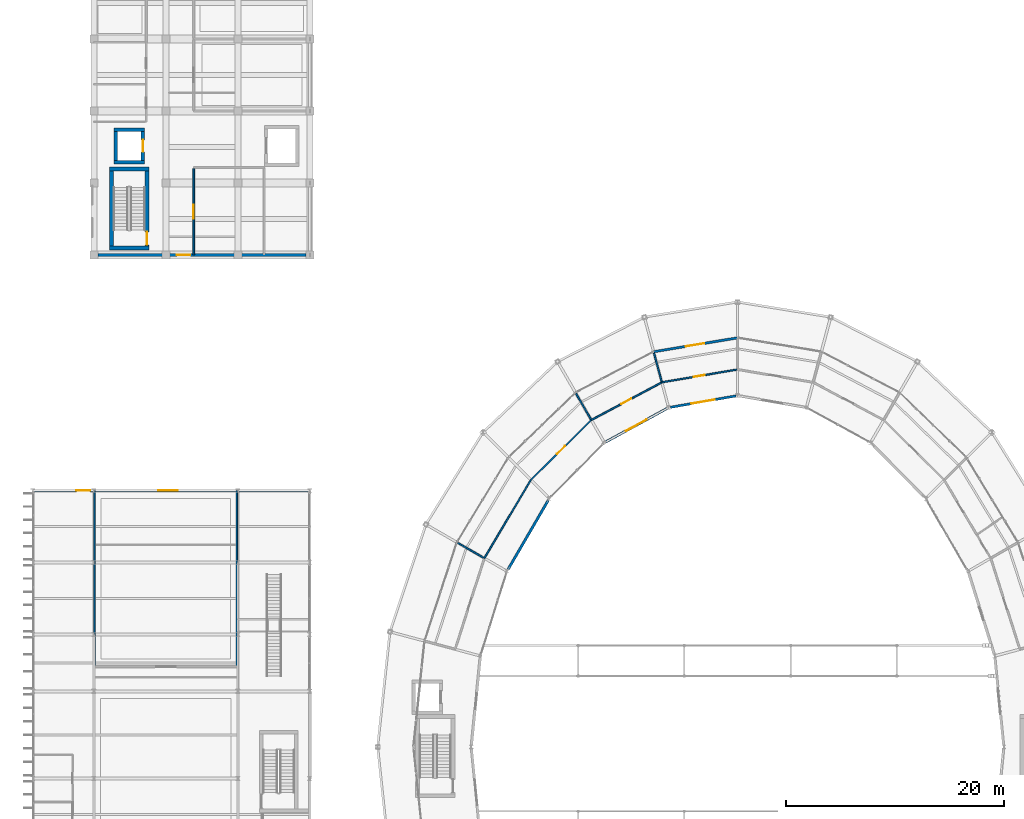
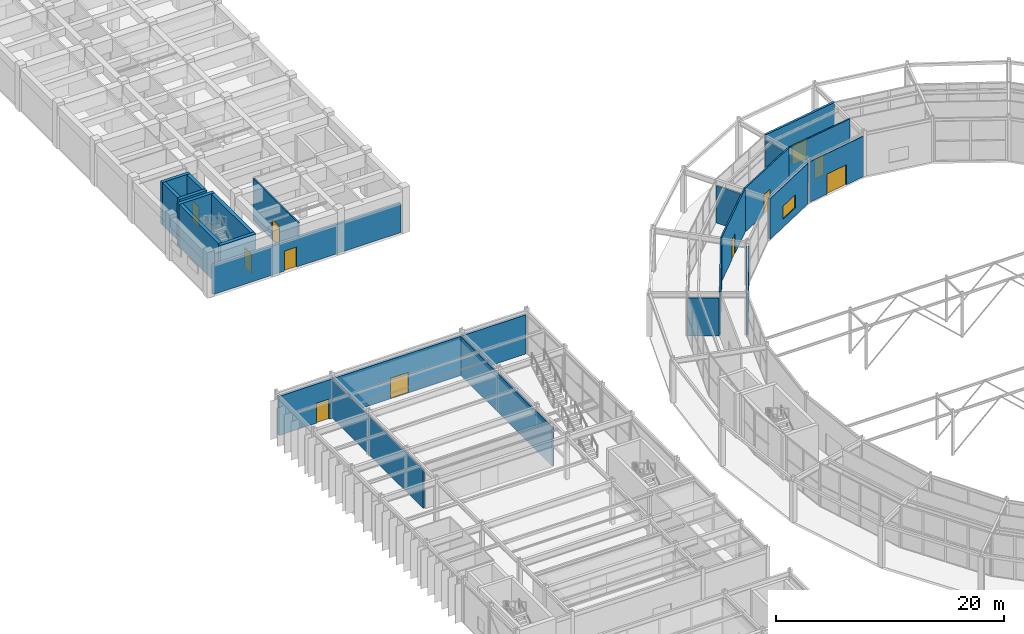
# One storey, part 126 of 144: 24 walls, 11 doors, 1 window, 12 openings.
"""IFC4 building model written with IfcOpenShell, lengths in metres."""

from ifc_helpers import new_model, si_unit, direction, frame, frame_2d, origin, place, context, subcontext, project, spatial, rectangle, extrude, material, layer, layer_set, type_object, element, fill, save


model = new_model("IFC4")

# Units and contexts
model_context = context("Model", 3, precision=1e-05, world=origin(), true_north=direction((0.0, 1.0)))
body_context = subcontext(model_context, "Body", "Model", "MODEL_VIEW")
ifc_project = project(units=[si_unit("LENGTHUNIT", "METRE"), si_unit("AREAUNIT", "SQUARE_METRE"), si_unit("VOLUMEUNIT", "CUBIC_METRE"), si_unit("PLANEANGLEUNIT", "RADIAN"), si_unit("MASSUNIT", "GRAM", prefix="KILO")], contexts=[model_context])

# Site, building, storey
site_placement = place(None, origin())
site = spatial("IfcSite", under=ifc_project, at=site_placement, CompositionType="ELEMENT")
building_placement = place(site_placement, origin())
building = spatial("IfcBuilding", under=site, at=building_placement, Name="Karori Crest Natural Sciences Institute", CompositionType="ELEMENT")
storey_placement = place(building_placement, origin())
storey = spatial("IfcBuildingStorey", under=building, at=storey_placement, Name="L00", CompositionType="ELEMENT", Elevation=0.0)

# Walls
ifc_material_1 = material(Name="Concrete 50 MPa", Category="concrete")
ifc_layer_1 = layer(ifc_material_1, 0.35009765625, Name="Concrete 50 MPa")
ifc_layer_set_1 = layer_set([ifc_layer_1], Name="Concrete 50 MPa")
wall_type_1 = type_object("IfcWallType", Name="IWT-02", PredefinedType="SHEAR", material=ifc_layer_set_1)
for number, where, z_axis, x_axis, name in (
    (1, (8.85009765625, 95.625, 0.0), (0.0, 0.0, 1.0), (1.0, 0.0, 0.0), "Shear wall IW-0169"),
    (2, (8.85009765625, 102.875, 0.0), (0.0, 0.0, 1.0), (1.0, 0.0, 0.0), "Shear wall IW-0170"),
):
    element("IfcWall", number, at=place(storey_placement, frame(where, z_axis=z_axis, x_axis=x_axis)), inside=storey, type_object=wall_type_1, Name=name, PredefinedType="SHEAR", context=body_context, shape_type="SweptSolid", body=[
        extrude(rectangle(XDim=3.599853515625, YDim=0.35009765625, at=frame_2d((1.7998046875, 0.0))), origin(), (0.0, 0.0, 1.0), 4.550048828125),
    ])
wall_1_placement = place(storey_placement, frame((9.02490234375, 95.802001953125, 0.0), z_axis=(0.0, 0.0, 1.0), x_axis=(0.0, 1.0, 0.0)))
element("IfcWall", 3, at=wall_1_placement, inside=storey, type_object=wall_type_1, Name="Shear wall IW-0171", PredefinedType="SHEAR", context=body_context, shape_type="SweptSolid", body=[
    extrude(rectangle(XDim=6.89599609375, YDim=0.35009765625, at=frame_2d((3.447998046875, 0.0))), origin(), (0.0, 0.0, 1.0), 4.550048828125),
])

# Wall, opening, door
wall_2_placement = place(storey_placement, frame((12.27490234375, 95.802001953125, 0.0), z_axis=(0.0, 0.0, 1.0), x_axis=(0.0, 1.0, 0.0)))
wall_2 = element("IfcWall", 4, at=wall_2_placement, inside=storey, type_object=wall_type_1, Name="Shear wall IW-0172", PredefinedType="SHEAR", context=body_context, shape_type="SweptSolid", body=[
    extrude(rectangle(XDim=6.89599609375, YDim=0.35009765625, at=frame_2d((3.447998046875, 0.0))), origin(), (0.0, 0.0, 1.0), 4.550048828125),
])
opening_1_placement = place(wall_2_placement, frame((0.1201171875, 0.0, 0.0)))
opening_1 = element("IfcOpeningElement", 5, at=opening_1_placement, cuts=wall_2, Name="Opening ID-0043", PredefinedType="OPENING", context=body_context, shape_type="SweptSolid", body=[
    extrude(rectangle(XDim=1.199951171875, YDim=2.14990234375, at=frame_2d((0.60009765625, 1.074951171875))), frame((0.0, 0.18505859375, 0.0), z_axis=(0.0, -1.0, 0.0), x_axis=(1.0, 0.0, 0.0)), (0.0, 0.0, 1.0), 0.3701171875),
])
ifc_material_2 = material(Name="Stainless steel 316 and fire-rated timber", Category="steel")
door_type_1 = type_object("IfcDoorType", Name="IDT-01", OperationType="NOTDEFINED", PredefinedType="DOOR", material=ifc_material_2)
door_1_placement = place(opening_1_placement, origin())
door_1 = element("IfcDoor", 6, at=door_1_placement, inside=storey, type_object=door_type_1, Name="Stair ST-05 fire door ID-0043", OperationType="SINGLE_SWING_LEFT", OverallHeight=2.14990234375, OverallWidth=1.199951171875, PredefinedType="DOOR", context=body_context, shape_type="SweptSolid", body=[
    extrude(rectangle(XDim=1.199951171875, YDim=2.14990234375, at=frame_2d((0.60009765625, 1.074951171875))), frame((0.0, 0.02490234375, 0.0), z_axis=(0.0, -1.0, 0.0), x_axis=(1.0, 0.0, 0.0)), (0.0, 0.0, 1.0), 0.050048828125),
])
fill(opening_1, door_1)

# Walls
ifc_layer_2 = layer(ifc_material_1, 0.320068359375, Name="Concrete 50 MPa")
ifc_layer_set_2 = layer_set([ifc_layer_2], Name="Concrete 50 MPa")
wall_type_2 = type_object("IfcWallType", Name="IWT-03", PredefinedType="SHEAR", material=ifc_layer_set_2)
for number, where, z_axis, x_axis, name in (
    (7, (9.2451171875, 103.5048828125, 0.0), (0.0, 0.0, 1.0), (1.0, 0.0, 0.0), "Shear wall IW-0491"),
    (8, (9.2451171875, 106.4951171875, 0.0), (0.0, 0.0, 1.0), (1.0, 0.0, 0.0), "Shear wall IW-0492"),
):
    element("IfcWall", number, at=place(storey_placement, frame(where, z_axis=z_axis, x_axis=x_axis)), inside=storey, type_object=wall_type_2, Name=name, PredefinedType="SHEAR", context=body_context, shape_type="SweptSolid", body=[
        extrude(rectangle(XDim=2.809814453125, YDim=0.320068359375, at=frame_2d((1.40478515625, 0.0))), origin(), (0.0, 0.0, 1.0), 4.550048828125),
    ])
wall_3_placement = place(storey_placement, frame((9.405029296875, 103.6669921875, 0.0), z_axis=(0.0, 0.0, 1.0), x_axis=(0.0, 1.0, 0.0)))
element("IfcWall", 9, at=wall_3_placement, inside=storey, type_object=wall_type_2, Name="Shear wall IW-0493", PredefinedType="SHEAR", context=body_context, shape_type="SweptSolid", body=[
    extrude(rectangle(XDim=2.666015625, YDim=0.320068359375, at=frame_2d((1.3330078125, 0.0))), origin(), (0.0, 0.0, 1.0), 4.550048828125),
])

# Wall, opening, door
wall_4_placement = place(storey_placement, frame((11.89501953125, 103.6669921875, 0.0), z_axis=(0.0, 0.0, 1.0), x_axis=(0.0, 1.0, 0.0)))
wall_4 = element("IfcWall", 10, at=wall_4_placement, inside=storey, type_object=wall_type_2, Name="Shear wall IW-0494", PredefinedType="SHEAR", context=body_context, shape_type="SweptSolid", body=[
    extrude(rectangle(XDim=2.666015625, YDim=0.320068359375, at=frame_2d((1.3330078125, 0.0))), origin(), (0.0, 0.0, 1.0), 4.550048828125),
])
opening_2_placement = place(wall_4_placement, frame((0.782958984375, 0.0, 0.0)))
opening_2 = element("IfcOpeningElement", 11, at=opening_2_placement, cuts=wall_4, Name="Opening LD-0049", PredefinedType="OPENING", context=body_context, shape_type="SweptSolid", body=[
    extrude(rectangle(XDim=1.10009765625, YDim=2.14990234375, at=frame_2d((0.550048828125, 1.074951171875))), frame((0.0, 0.169921875, 0.0), z_axis=(0.0, -1.0, 0.0), x_axis=(1.0, 0.0, 0.0)), (0.0, 0.0, 1.0), 0.340087890625),
])
door_type_2 = type_object("IfcDoorType", Name="LDT-01", OperationType="SLIDING_TO_LEFT", PredefinedType="DOOR", material=ifc_material_2)
door_2_placement = place(opening_2_placement, origin())
door_2 = element("IfcDoor", 12, at=door_2_placement, inside=storey, type_object=door_type_2, Name="Lift LP-04 landing door LD-0049", OperationType="SLIDING_TO_LEFT", OverallHeight=2.14990234375, OverallWidth=1.10009765625, PredefinedType="DOOR", context=body_context, shape_type="SweptSolid", body=[
    extrude(rectangle(XDim=1.10009765625, YDim=2.14990234375, at=frame_2d((0.550048828125, 1.074951171875))), frame((0.0, 0.02490234375, 0.0), z_axis=(0.0, -1.0, 0.0), x_axis=(1.0, 0.0, 0.0)), (0.0, 0.0, 1.0), 0.050048828125),
])
fill(opening_2, door_2)

ifc_material_3 = material(Name="Clean-room insulated fire partition")
ifc_layer_3 = layer(ifc_material_3, 0.14990234375, Name="Clean-room insulated fire partition")
ifc_layer_set_3 = layer_set([ifc_layer_3], Name="Clean-room insulated fire partition")
wall_type_3 = type_object("IfcWallType", Name="IWT-06", PredefinedType="PARTITIONING", material=ifc_layer_set_3)
wall_5_placement = place(storey_placement, frame((16.550048828125, 95.0, 0.0), z_axis=(0.0, 0.0, 1.0), x_axis=(0.0, 1.0, 0.0)))
wall_5 = element("IfcWall", 13, at=wall_5_placement, inside=storey, type_object=wall_type_3, Name="Partition wall IW-0926", PredefinedType="PARTITIONING", context=body_context, shape_type="SweptSolid", body=[
    extrude(rectangle(XDim=7.923095703125, YDim=0.14990234375, at=frame_2d((3.96142578125, 0.0))), origin(), (0.0, 0.0, 1.0), 4.550048828125),
])
opening_3_placement = place(wall_5_placement, frame((3.3115234375, 0.0, 0.0)))
opening_3 = element("IfcOpeningElement", 14, at=opening_3_placement, cuts=wall_5, Name="Opening ID-0237", PredefinedType="OPENING", context=body_context, shape_type="SweptSolid", body=[
    extrude(rectangle(XDim=1.300048828125, YDim=2.199951171875, at=frame_2d((0.64990234375, 1.10009765625))), frame((0.0, 0.0849609375, 0.0), z_axis=(0.0, -1.0, 0.0), x_axis=(1.0, 0.0, 0.0)), (0.0, 0.0, 1.0), 0.169921875),
])
door_type_3 = type_object("IfcDoorType", Name="IDT-04", OperationType="NOTDEFINED", PredefinedType="DOOR", material=ifc_material_2)
door_3_placement = place(opening_3_placement, origin())
door_3 = element("IfcDoor", 15, at=door_3_placement, inside=storey, type_object=door_type_3, Name="ISO Class 5 Lithography Clean Room door ID-0237", OperationType="SINGLE_SWING_LEFT", OverallHeight=2.199951171875, OverallWidth=1.300048828125, PredefinedType="DOOR", context=body_context, shape_type="SweptSolid", body=[
    extrude(rectangle(XDim=1.300048828125, YDim=2.199951171875, at=frame_2d((0.64990234375, 1.10009765625))), frame((0.0, 0.02490234375, 0.0), z_axis=(0.0, -1.0, 0.0), x_axis=(1.0, 0.0, 0.0)), (0.0, 0.0, 1.0), 0.050048828125),
])
fill(opening_3, door_3)

# Walls
ifc_material_4 = material(Name="Laboratory acoustic drywall partition")
ifc_layer_4 = layer(ifc_material_4, 0.139892578125, Name="Laboratory acoustic drywall partition")
ifc_layer_set_4 = layer_set([ifc_layer_4], Name="Laboratory acoustic drywall partition")
wall_type_4 = type_object("IfcWallType", Name="IWT-07", PredefinedType="PARTITIONING", material=ifc_layer_set_4)
wall_6_placement = place(storey_placement, frame((7.449951171875, 57.322021484375, 0.0), z_axis=(0.0, 0.0, 1.0), x_axis=(0.0, 1.0, 0.0)))
element("IfcWall", 16, at=wall_6_placement, inside=storey, type_object=wall_type_4, Name="Partition wall IW-1080", PredefinedType="PARTITIONING", context=body_context, shape_type="SweptSolid", body=[
    extrude(rectangle(XDim=16.077880859375, YDim=0.139892578125, at=frame_2d((8.0390625, 0.0))), origin(), (0.0, 0.0, 1.0), 4.14501953125),
])
wall_7_placement = place(storey_placement, frame((20.5, 57.25, 0.0), z_axis=(0.0, 0.0, 1.0), x_axis=(0.0, 1.0, 0.0)))
element("IfcWall", 17, at=wall_7_placement, inside=storey, type_object=wall_type_4, Name="Partition wall IW-1081", PredefinedType="PARTITIONING", context=body_context, shape_type="SweptSolid", body=[
    extrude(rectangle(XDim=16.14990234375, YDim=0.139892578125, at=frame_2d((8.074951171875, 0.0))), origin(), (0.0, 0.0, 1.0), 4.14501953125),
])

# Wall, opening, door
wall_8_placement = place(storey_placement, frame((66.327880859375, 84.48779296875, 0.0), z_axis=(0.0, 0.0, 1.0), x_axis=(-0.98586001765, -0.167570956905, 0.0)))
wall_8 = element("IfcWall", 18, at=wall_8_placement, inside=storey, type_object=wall_type_4, Name="Partition wall IW-1181", PredefinedType="PARTITIONING", context=body_context, shape_type="SweptSolid", body=[
    extrude(rectangle(XDim=6.962646484375, YDim=0.139892578125, at=frame_2d((3.4814453125, 0.0))), origin(), (0.0, 0.0, 1.0), 4.699951171875),
])
opening_4_placement = place(wall_8_placement, frame((2.956298828125, 0.0, 0.0)))
opening_4 = element("IfcOpeningElement", 19, at=opening_4_placement, cuts=wall_8, Name="Opening ID-0354", PredefinedType="OPENING", context=body_context, shape_type="SweptSolid", body=[
    extrude(rectangle(XDim=1.050048828125, YDim=2.14990234375, at=frame_2d((0.52490234375, 1.074951171875))), frame((0.0, 0.080078125, 0.0), z_axis=(0.0, -1.0, 0.0), x_axis=(1.0, 0.0, 0.0)), (0.0, 0.0, 1.0), 0.159912109375),
])
door_type_4 = type_object("IfcDoorType", Name="IDT-03", OperationType="NOTDEFINED", PredefinedType="DOOR", material=ifc_material_2)
door_4_placement = place(opening_4_placement, origin())
door_4 = element("IfcDoor", 20, at=door_4_placement, inside=storey, type_object=door_type_4, Name="Molecular Ecology Wet Laboratory door ID-0354", OperationType="SINGLE_SWING_RIGHT", OverallHeight=2.14990234375, OverallWidth=1.050048828125, PredefinedType="DOOR", context=body_context, shape_type="SweptSolid", body=[
    extrude(rectangle(XDim=1.050048828125, YDim=2.14990234375, at=frame_2d((0.52490234375, 1.074951171875))), frame((0.0, 0.02490234375, 0.0), z_axis=(0.0, -1.0, 0.0), x_axis=(1.0, 0.0, 0.0)), (0.0, 0.0, 1.0), 0.050048828125),
])
fill(opening_4, door_4)

# Wall
wall_9_placement = place(storey_placement, frame((59.44287109375, 83.398193359375, 0.0), z_axis=(0.0, 0.0, 1.0), x_axis=(-0.258796182094, 0.965931952124, 0.0)))
element("IfcWall", 21, at=wall_9_placement, inside=storey, type_object=wall_type_4, Name="Partition wall IW-1182", PredefinedType="PARTITIONING", context=body_context, shape_type="SweptSolid", body=[
    extrude(rectangle(XDim=2.70751953125, YDim=0.139892578125, at=frame_2d((1.353759765625, 0.0))), origin(), (0.0, 0.0, 1.0), 4.092041015625),
])

# Wall, opening, door
wall_10_placement = place(storey_placement, frame((59.3984375, 83.2861328125, 0.0), z_axis=(0.0, 0.0, 1.0), x_axis=(-0.881829873621, -0.471567676999, 0.0)))
wall_10 = element("IfcWall", 22, at=wall_10_placement, inside=storey, type_object=wall_type_4, Name="Partition wall IW-1183", PredefinedType="PARTITIONING", context=body_context, shape_type="SweptSolid", body=[
    extrude(rectangle(XDim=7.255859375, YDim=0.139892578125, at=frame_2d((3.6279296875, 0.0))), origin(), (0.0, 0.0, 1.0), 4.699951171875),
])
opening_5_placement = place(wall_10_placement, frame((3.10302734375, 0.0, 0.0)))
opening_5 = element("IfcOpeningElement", 23, at=opening_5_placement, cuts=wall_10, Name="Opening ID-0355", PredefinedType="OPENING", context=body_context, shape_type="SweptSolid", body=[
    extrude(rectangle(XDim=1.050048828125, YDim=2.14990234375, at=frame_2d((0.52490234375, 1.074951171875))), frame((0.0, 0.080078125, 0.0), z_axis=(0.0, -1.0, 0.0), x_axis=(1.0, 0.0, 0.0)), (0.0, 0.0, 1.0), 0.159912109375),
])
door_5_placement = place(opening_5_placement, origin())
door_5 = element("IfcDoor", 24, at=door_5_placement, inside=storey, type_object=door_type_4, Name="Wet Biology Laboratory door ID-0355", OperationType="SINGLE_SWING_LEFT", OverallHeight=2.14990234375, OverallWidth=1.050048828125, PredefinedType="DOOR", context=body_context, shape_type="SweptSolid", body=[
    extrude(rectangle(XDim=1.050048828125, YDim=2.14990234375, at=frame_2d((0.52490234375, 1.074951171875))), frame((0.0, 0.02490234375, 0.0), z_axis=(0.0, -1.0, 0.0), x_axis=(1.0, 0.0, 0.0)), (0.0, 0.0, 1.0), 0.050048828125),
])
fill(opening_5, door_5)

# Wall
wall_11_placement = place(storey_placement, frame((52.9599609375, 79.933837890625, 0.0), z_axis=(0.0, 0.0, 1.0), x_axis=(-0.499982807329, 0.86603532975, 0.0)))
element("IfcWall", 25, at=wall_11_placement, inside=storey, type_object=wall_type_4, Name="Partition wall IW-1184", PredefinedType="PARTITIONING", context=body_context, shape_type="SweptSolid", body=[
    extrude(rectangle(XDim=2.759765625, YDim=0.139892578125, at=frame_2d((1.3798828125, 0.0))), origin(), (0.0, 0.0, 1.0), 4.012939453125),
])

# Wall, opening, door
wall_12_placement = place(storey_placement, frame((52.99853515625, 79.863037109375, 0.0), z_axis=(0.0, 0.0, 1.0), x_axis=(-0.710427757183, -0.703770134222, 0.0)))
wall_12 = element("IfcWall", 26, at=wall_12_placement, inside=storey, type_object=wall_type_4, Name="Partition wall IW-1185", PredefinedType="PARTITIONING", context=body_context, shape_type="SweptSolid", body=[
    extrude(rectangle(XDim=7.810791015625, YDim=0.139892578125, at=frame_2d((3.9052734375, 0.0))), origin(), (0.0, 0.0, 1.0), 4.699951171875),
])
opening_6_placement = place(wall_12_placement, frame((3.380615234375, 0.0, 0.0)))
opening_6 = element("IfcOpeningElement", 27, at=opening_6_placement, cuts=wall_12, Name="Opening ID-0356", PredefinedType="OPENING", context=body_context, shape_type="SweptSolid", body=[
    extrude(rectangle(XDim=1.050048828125, YDim=2.14990234375, at=frame_2d((0.52490234375, 1.074951171875))), frame((0.0, 0.080078125, 0.0), z_axis=(0.0, -1.0, 0.0), x_axis=(1.0, 0.0, 0.0)), (0.0, 0.0, 1.0), 0.159912109375),
])
door_6_placement = place(opening_6_placement, origin())
door_6 = element("IfcDoor", 28, at=door_6_placement, inside=storey, type_object=door_type_4, Name="Analytical Geochemistry Laboratory door ID-0356", OperationType="SINGLE_SWING_RIGHT", OverallHeight=2.14990234375, OverallWidth=1.050048828125, PredefinedType="DOOR", context=body_context, shape_type="SweptSolid", body=[
    extrude(rectangle(XDim=1.050048828125, YDim=2.14990234375, at=frame_2d((0.52490234375, 1.074951171875))), frame((0.0, 0.02490234375, 0.0), z_axis=(0.0, -1.0, 0.0), x_axis=(1.0, 0.0, 0.0)), (0.0, 0.0, 1.0), 0.050048828125),
])
fill(opening_6, door_6)

# Walls
wall_13_placement = place(storey_placement, frame((47.448486328125, 74.3642578125, 0.0), z_axis=(0.0, 0.0, 1.0), x_axis=(-0.510915698067, -0.859630821614, 0.0)))
element("IfcWall", 29, at=wall_13_placement, inside=storey, type_object=wall_type_4, Name="Partition wall IW-1186", PredefinedType="PARTITIONING", context=body_context, shape_type="SweptSolid", body=[
    extrude(rectangle(XDim=8.334228515625, YDim=0.139892578125, at=frame_2d((4.1669921875, 0.0))), origin(), (0.0, 0.0, 1.0), 4.699951171875),
])
wall_14_placement = place(storey_placement, frame((43.12109375, 67.239990234375, 0.0), z_axis=(0.0, 0.0, 1.0), x_axis=(-0.86599702495, 0.500049150362, 0.0)))
element("IfcWall", 30, at=wall_14_placement, inside=storey, type_object=wall_type_4, Name="Partition wall IW-1187", PredefinedType="PARTITIONING", context=body_context, shape_type="SweptSolid", body=[
    extrude(rectangle(XDim=2.760009765625, YDim=0.139892578125, at=frame_2d((1.3798828125, 0.0))), origin(), (0.0, 0.0, 1.0), 4.092041015625),
])

# Wall, opening, door
ifc_material_5 = material(Name="Precast concrete 40 MPa", Category="concrete")
ifc_layer_5 = layer(ifc_material_5, 0.260009765625, Name="Precast concrete 40 MPa")
ifc_layer_set_5 = layer_set([ifc_layer_5], Name="Precast concrete 40 MPa")
wall_type_5 = type_object("IfcWallType", Name="WT-03", PredefinedType="SOLIDWALL", material=ifc_layer_set_5)
wall_15_placement = place(storey_placement, frame((26.826904296875, 95.0, 0.0), z_axis=(0.0, 0.0, 1.0), x_axis=(-1.0, 0.0, 0.0)))
wall_15 = element("IfcWall", 31, at=wall_15_placement, inside=storey, type_object=wall_type_5, Name="Exterior wall EW-0160", PredefinedType="SOLIDWALL", context=body_context, shape_type="SweptSolid", body=[
    extrude(rectangle(XDim=19.053955078125, YDim=0.260009765625, at=frame_2d((9.52685546875, 0.0))), origin(), (0.0, 0.0, 1.0), 3.135009765625),
])
opening_7_placement = place(wall_15_placement, frame((10.576904296875, 0.0, 0.0)))
opening_7 = element("IfcOpeningElement", 32, at=opening_7_placement, cuts=wall_15, Name="Opening ED-0021", PredefinedType="OPENING", context=body_context, shape_type="SweptSolid", body=[
    extrude(rectangle(XDim=1.25, YDim=2.14990234375, at=frame_2d((0.625, 1.074951171875))), frame((0.0, 0.14013671875, 0.0), z_axis=(0.0, -1.0, 0.0), x_axis=(1.0, 0.0, 0.0)), (0.0, 0.0, 1.0), 0.280029296875),
])
ifc_material_6 = material(Name="Anodised architectural aluminium 6063-T6", Category="aluminium")
door_type_5 = type_object("IfcDoorType", Name="EDT-03", OperationType="NOTDEFINED", PredefinedType="DOOR", material=ifc_material_6)
door_7_placement = place(opening_7_placement, origin())
door_7 = element("IfcDoor", 33, at=door_7_placement, inside=storey, type_object=door_type_5, Name="Cleanroom south final exit door ED-0021", OperationType="SINGLE_SWING_RIGHT", OverallHeight=2.14990234375, OverallWidth=1.25, PredefinedType="DOOR", context=body_context, shape_type="SweptSolid", body=[
    extrude(rectangle(XDim=1.25, YDim=2.14990234375, at=frame_2d((0.625, 1.074951171875))), frame((0.0, 0.02490234375, 0.0), z_axis=(0.0, -1.0, 0.0), x_axis=(1.0, 0.0, 0.0)), (0.0, 0.0, 1.0), 0.050048828125),
])
fill(opening_7, door_7)

# Wall, opening, window
ifc_layer_6 = layer(ifc_material_5, 0.239990234375, Name="Precast concrete 40 MPa")
ifc_layer_set_6 = layer_set([ifc_layer_6], Name="Precast concrete 40 MPa")
wall_type_6 = type_object("IfcWallType", Name="WT-04", PredefinedType="SOLIDWALL", material=ifc_layer_set_6)
wall_16_placement = place(storey_placement, frame((59.93408203125, 80.92041015625, 0.0), z_axis=(0.0, 0.0, 1.0), x_axis=(-0.877463709328, -0.479643032695, 0.0)))
wall_16 = element("IfcWall", 34, at=wall_16_placement, inside=storey, type_object=wall_type_6, Name="Exterior wall EW-0025", PredefinedType="SOLIDWALL", context=body_context, shape_type="SweptSolid", body=[
    extrude(rectangle(XDim=6.400146484375, YDim=0.239990234375, at=frame_2d((3.2001953125, 0.0))), origin(), (0.0, 0.0, 1.0), 4.35009765625),
])
opening_8_placement = place(wall_16_placement, frame((2.125244140625, 0.0, 0.85009765625)))
opening_8 = element("IfcOpeningElement", 35, at=opening_8_placement, cuts=wall_16, Name="Opening WN-0003", PredefinedType="OPENING", context=body_context, shape_type="SweptSolid", body=[
    extrude(rectangle(XDim=2.14990234375, YDim=1.39990234375, at=frame_2d((1.074951171875, 0.699951171875))), frame((0.0, 0.1298828125, 0.0), z_axis=(0.0, -1.0, 0.0), x_axis=(1.0, 0.0, 0.0)), (0.0, 0.0, 1.0), 0.260009765625),
])
ifc_material_7 = material(Name="Double low-E laminated glass", Category="glass")
window_type = type_object("IfcWindowType", Name="WNT-08", PartitioningType="SINGLE_PANEL", PredefinedType="WINDOW", material=ifc_material_7)
window_placement = place(opening_8_placement, origin())
window = element("IfcWindow", 36, at=window_placement, inside=storey, type_object=window_type, Name="Window WN-0003", OverallHeight=1.39990234375, OverallWidth=2.14990234375, PartitioningType="SINGLE_PANEL", PredefinedType="WINDOW", context=body_context, shape_type="SweptSolid", body=[
    extrude(rectangle(XDim=2.14990234375, YDim=1.39990234375, at=frame_2d((1.074951171875, 0.699951171875))), frame((0.0, 0.030029296875, 0.0), z_axis=(0.0, -1.0, 0.0), x_axis=(1.0, 0.0, 0.0)), (0.0, 0.0, 1.0), 0.06005859375),
])
fill(opening_8, window)

# Wall
wall_17_placement = place(storey_placement, frame((49.055908203125, 72.512939453125, 0.0), z_axis=(0.0, 0.0, 1.0), x_axis=(-0.502653329169, -0.86448807434, 0.0)))
element("IfcWall", 37, at=wall_17_placement, inside=storey, type_object=wall_type_6, Name="Exterior wall EW-0026", PredefinedType="SOLIDWALL", context=body_context, shape_type="SweptSolid", body=[
    extrude(rectangle(XDim=7.35791015625, YDim=0.239990234375, at=frame_2d((3.678955078125, 0.0))), origin(), (0.0, 0.0, 1.0), 4.35009765625),
])

# Wall, openings, doors
wall_18_placement = place(storey_placement, frame((1.972900390625, 73.39990234375, 0.0), z_axis=(0.0, 0.0, 1.0), x_axis=(1.0, 0.0, 0.0)))
wall_18 = element("IfcWall", 38, at=wall_18_placement, inside=storey, type_object=wall_type_6, Name="Exterior wall EW-0134", PredefinedType="SOLIDWALL", context=body_context, shape_type="SweptSolid", body=[
    extrude(rectangle(XDim=25.05419921875, YDim=0.239990234375, at=frame_2d((12.527099609375, 0.0))), origin(), (0.0, 0.0, 1.0), 4.205078125),
])
opening_9_placement = place(wall_18_placement, frame((3.826904296875, 0.0, 0.0)))
opening_9 = element("IfcOpeningElement", 39, at=opening_9_placement, cuts=wall_18, Name="Opening ED-0015", PredefinedType="OPENING", context=body_context, shape_type="SweptSolid", body=[
    extrude(rectangle(XDim=1.25, YDim=2.14990234375, at=frame_2d((0.625, 1.074951171875))), frame((0.0, 0.1298828125, 0.0), z_axis=(0.0, -1.0, 0.0), x_axis=(1.0, 0.0, 0.0)), (0.0, 0.0, 1.0), 0.260009765625),
])
opening_10_placement = place(wall_18_placement, frame((11.326904296875, 0.0, 0.0)))
opening_10 = element("IfcOpeningElement", 40, at=opening_10_placement, cuts=wall_18, Name="Opening ED-0016", PredefinedType="OPENING", context=body_context, shape_type="SweptSolid", body=[
    extrude(rectangle(XDim=1.800048828125, YDim=2.199951171875, at=frame_2d((0.89990234375, 1.10009765625))), frame((0.0, 0.1298828125, 0.0), z_axis=(0.0, -1.0, 0.0), x_axis=(1.0, 0.0, 0.0)), (0.0, 0.0, 1.0), 0.260009765625),
])
door_type_6 = type_object("IfcDoorType", Name="EDT-02", OperationType="DOUBLE_DOOR_SINGLE_SWING", PredefinedType="DOOR", material=ifc_material_6)
door_8_placement = place(opening_10_placement, origin())
door_8 = element("IfcDoor", 41, at=door_8_placement, inside=storey, type_object=door_type_6, Name="North courtyard entrance door ED-0016", OperationType="DOUBLE_DOOR_SINGLE_SWING", OverallHeight=2.199951171875, OverallWidth=1.800048828125, PredefinedType="DOOR", context=body_context, shape_type="SweptSolid", body=[
    extrude(rectangle(XDim=1.800048828125, YDim=2.199951171875, at=frame_2d((0.89990234375, 1.10009765625))), frame((0.0, 0.02490234375, 0.0), z_axis=(0.0, -1.0, 0.0), x_axis=(1.0, 0.0, 0.0)), (0.0, 0.0, 1.0), 0.050048828125),
])
fill(opening_10, door_8)
door_9_placement = place(opening_9_placement, origin())
door_9 = element("IfcDoor", 42, at=door_9_placement, inside=storey, type_object=door_type_5, Name="Atrium north final exit door ED-0015", OperationType="SINGLE_SWING_LEFT", OverallHeight=2.14990234375, OverallWidth=1.25, PredefinedType="DOOR", context=body_context, shape_type="SweptSolid", body=[
    extrude(rectangle(XDim=1.25, YDim=2.14990234375, at=frame_2d((0.625, 1.074951171875))), frame((0.0, 0.02490234375, 0.0), z_axis=(0.0, -1.0, 0.0), x_axis=(1.0, 0.0, 0.0)), (0.0, 0.0, 1.0), 0.050048828125),
])
fill(opening_9, door_9)

# Wall, opening, door
ifc_layer_7 = layer(ifc_material_5, 0.219970703125, Name="Precast concrete 40 MPa")
ifc_layer_set_7 = layer_set([ifc_layer_7], Name="Precast concrete 40 MPa")
wall_type_7 = type_object("IfcWallType", Name="WT-05", PredefinedType="SOLIDWALL", material=ifc_layer_set_7)
wall_19_placement = place(storey_placement, frame((58.727783203125, 86.124755859375, 0.0), z_axis=(0.0, 0.0, 1.0), x_axis=(0.98646777692, 0.163955253342, 0.0)))
wall_19 = element("IfcWall", 43, at=wall_19_placement, inside=storey, type_object=wall_type_7, Name="Exterior wall EW-0023", PredefinedType="SOLIDWALL", context=body_context, shape_type="SweptSolid", body=[
    extrude(rectangle(XDim=7.762451171875, YDim=0.219970703125, at=frame_2d((3.88134765625, 0.0))), origin(), (0.0, 0.0, 1.0), 4.679931640625),
])
opening_11_placement = place(wall_19_placement, frame((2.981201171875, 0.0, 0.0)))
opening_11 = element("IfcOpeningElement", 44, at=opening_11_placement, cuts=wall_19, Name="Opening ED-0002", PredefinedType="OPENING", context=body_context, shape_type="SweptSolid", body=[
    extrude(rectangle(XDim=1.699951171875, YDim=2.14990234375, at=frame_2d((0.85009765625, 1.074951171875))), frame((0.0, 0.1201171875, 0.0), z_axis=(0.0, -1.0, 0.0), x_axis=(1.0, 0.0, 0.0)), (0.0, 0.0, 1.0), 0.239990234375),
])
door_type_7 = type_object("IfcDoorType", Name="EDT-10", OperationType="DOUBLE_DOOR_SINGLE_SWING", PredefinedType="DOOR", material=ifc_material_6)
door_10_placement = place(opening_11_placement, origin())
door_10 = element("IfcDoor", 45, at=door_10_placement, inside=storey, type_object=door_type_7, Name="Colonnade entrance door ED-0002", OperationType="DOUBLE_DOOR_SINGLE_SWING", OverallHeight=2.14990234375, OverallWidth=1.699951171875, PredefinedType="DOOR", context=body_context, shape_type="SweptSolid", body=[
    extrude(rectangle(XDim=1.699951171875, YDim=2.14990234375, at=frame_2d((0.85009765625, 1.074951171875))), frame((0.0, 0.02490234375, 0.0), z_axis=(0.0, -1.0, 0.0), x_axis=(1.0, 0.0, 0.0)), (0.0, 0.0, 1.0), 0.050048828125),
])
fill(opening_11, door_10)

wall_20_placement = place(storey_placement, frame((66.24853515625, 82.07373046875, 0.0), z_axis=(0.0, 0.0, 1.0), x_axis=(-0.985241979296, -0.171167293114, 0.0)))
wall_20 = element("IfcWall", 46, at=wall_20_placement, inside=storey, type_object=wall_type_7, Name="Exterior wall EW-0024", PredefinedType="SOLIDWALL", context=body_context, shape_type="SweptSolid", body=[
    extrude(rectangle(XDim=6.103271484375, YDim=0.219970703125, at=frame_2d((3.0517578125, 0.0))), origin(), (0.0, 0.0, 1.0), 4.35009765625),
])
opening_12_placement = place(wall_20_placement, frame((1.95166015625, 0.0, 0.0)))
opening_12 = element("IfcOpeningElement", 47, at=opening_12_placement, cuts=wall_20, Name="Opening ED-0003", PredefinedType="OPENING", context=body_context, shape_type="SweptSolid", body=[
    extrude(rectangle(XDim=2.199951171875, YDim=2.14990234375, at=frame_2d((1.10009765625, 1.074951171875))), frame((0.0, 0.1201171875, 0.0), z_axis=(0.0, -1.0, 0.0), x_axis=(1.0, 0.0, 0.0)), (0.0, 0.0, 1.0), 0.239990234375),
])
door_type_8 = type_object("IfcDoorType", Name="EDT-12", OperationType="DOUBLE_DOOR_SINGLE_SWING", PredefinedType="GATE", material=ifc_material_6)
door_11_placement = place(opening_12_placement, origin())
door_11 = element("IfcDoor", 48, at=door_11_placement, inside=storey, type_object=door_type_8, Name="Courtyard security gate ED-0003", OperationType="DOUBLE_DOOR_SINGLE_SWING", OverallHeight=2.14990234375, OverallWidth=2.199951171875, PredefinedType="GATE", context=body_context, shape_type="SweptSolid", body=[
    extrude(rectangle(XDim=2.199951171875, YDim=2.14990234375, at=frame_2d((1.10009765625, 1.074951171875))), frame((0.0, 0.02490234375, 0.0), z_axis=(0.0, -1.0, 0.0), x_axis=(1.0, 0.0, 0.0)), (0.0, 0.0, 1.0), 0.050048828125),
])
fill(opening_12, door_11)

save(model, "model.ifc")
